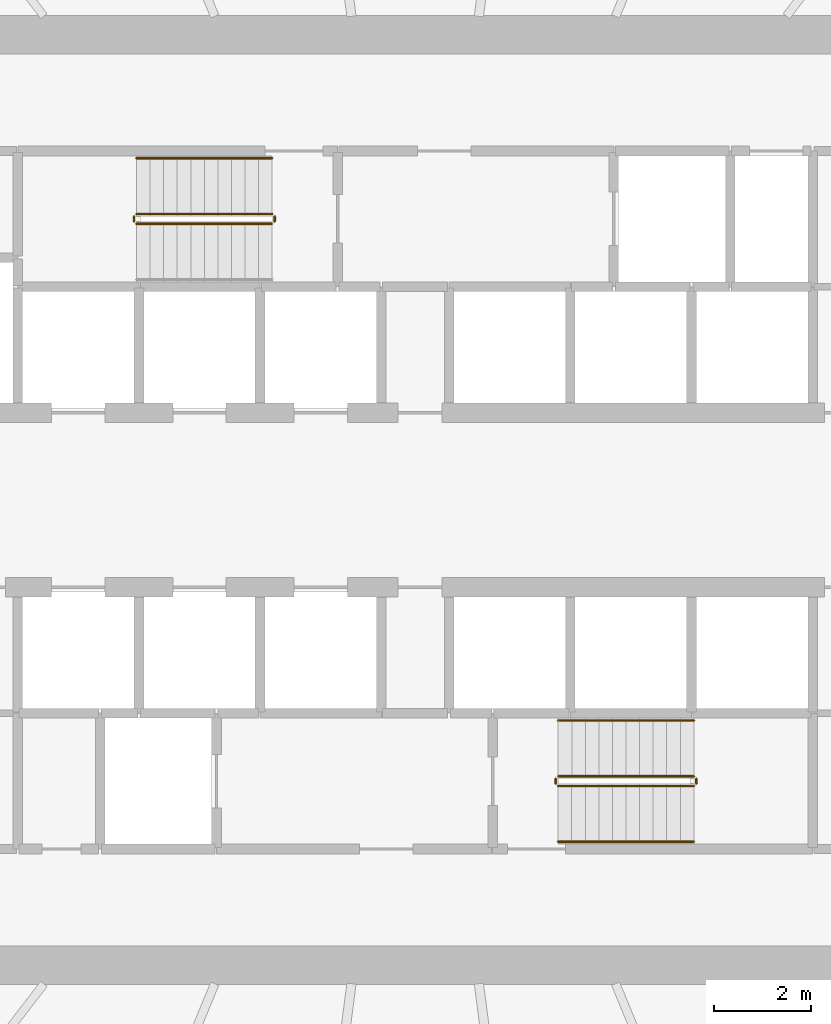
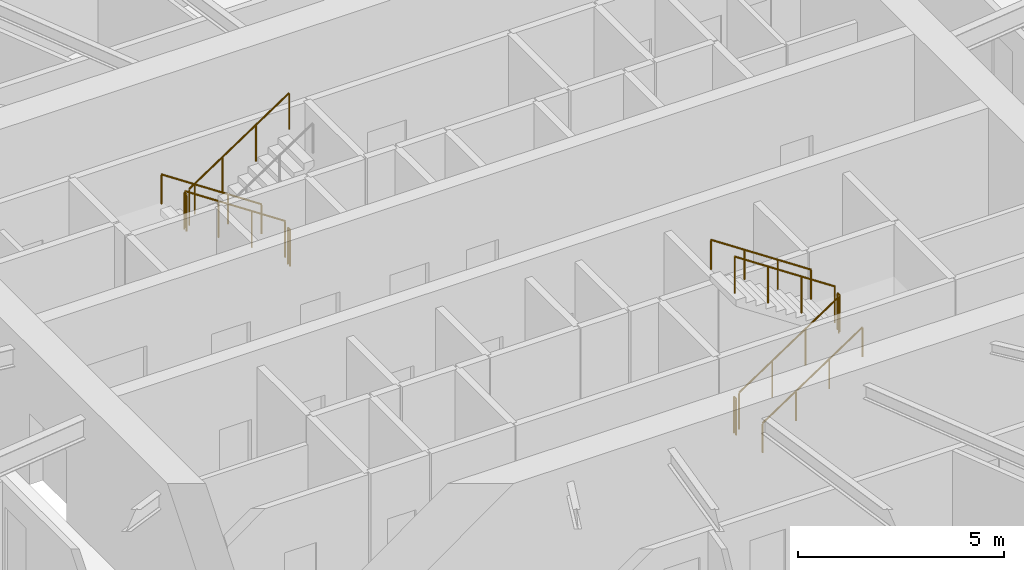
# One storey, part 16 of 17: 11 railings.
"""IFC4 building model written with IfcOpenShell, lengths in metres."""

from ifc_helpers import new_model, si_unit, direction, frame, origin, origin_2d, place, context, subcontext, project, spatial, circle, extrude, material, type_object, element, save


model = new_model("IFC4")

# Units and contexts
model_context = context("Model", 3, precision=1e-05, world=origin(), true_north=direction((0.0, 1.0)))
body_context = subcontext(model_context, "Body", "Model", "MODEL_VIEW")
ifc_project = project(units=[si_unit("LENGTHUNIT", "METRE"), si_unit("AREAUNIT", "SQUARE_METRE"), si_unit("VOLUMEUNIT", "CUBIC_METRE"), si_unit("PLANEANGLEUNIT", "RADIAN"), si_unit("MASSUNIT", "GRAM", prefix="KILO")], contexts=[model_context])

# Site, building, storey
site_placement = place(None, origin())
site = spatial("IfcSite", under=ifc_project, at=site_placement, CompositionType="ELEMENT")
building_placement = place(site_placement, origin())
building = spatial("IfcBuilding", under=site, at=building_placement, Name="Spindrift Exchange Tower", CompositionType="ELEMENT")
storey_placement = place(building_placement, frame((0.0, 0.0, 124.89990234375)))
storey = spatial("IfcBuildingStorey", under=building, at=storey_placement, Name="L29", CompositionType="ELEMENT", Elevation=124.89990234375)

# Railings
ifc_material_1 = material(Name="Steel balustrade", Category="steel")
railing_type_1 = type_object("IfcRailingType", Name="RL-STAIR-GUARD", PredefinedType="GUARDRAIL", material=ifc_material_1)
railing_1_placement = place(storey_placement, frame((49.050048828125, 53.89990234375, 0.1865234375)))
element("IfcRailing", 1, at=railing_1_placement, inside=storey, type_object=railing_type_1, Name="L29 ST1 stair guard 1", PredefinedType="GUARDRAIL", context=body_context, shape_type="SweptSolid", body=[
    extrude(circle(Radius=0.02392578125, at=origin_2d()), frame((0.0, 0.0, 1.076171875), z_axis=(-0.832485552168, 0.0, 0.554046753832), x_axis=(0.0, -1.0, 0.0)), (0.0, 0.0, 1.0), 3.363525390625),
    extrude(circle(Radius=0.02099609375, at=origin_2d()), origin(), (0.0, 0.0, 1.0), 1.052001953125),
    extrude(circle(Radius=0.02099609375, at=origin_2d()), frame((-0.933349609375, 0.0, 0.62109375)), (0.0, 0.0, 1.0), 1.052001953125),
    extrude(circle(Radius=0.02099609375, at=origin_2d()), frame((-1.86669921875, 0.0, 1.242431640625)), (0.0, 0.0, 1.0), 1.052001953125),
    extrude(circle(Radius=0.02099609375, at=origin_2d()), frame((-2.800048828125, 0.0, 1.863525390625)), (0.0, 0.0, 1.0), 1.052001953125),
])
railing_2_placement = place(storey_placement, frame((46.199951171875, 53.85009765625, 2.050048828125)))
element("IfcRailing", 2, at=railing_2_placement, inside=storey, type_object=railing_type_1, Name="L29 ST1 stair guard 2", PredefinedType="GUARDRAIL", context=body_context, shape_type="SweptSolid", body=[
    extrude(circle(Radius=0.02392578125, at=origin_2d()), frame((0.0, 0.0, 1.076171875), z_axis=(0.0, -1.0, 0.0), x_axis=(1.0, 0.0, 0.0)), (0.0, 0.0, 1.0), 0.10009765625),
    extrude(circle(Radius=0.02099609375, at=origin_2d()), origin(), (0.0, 0.0, 1.0), 1.052001953125),
    extrude(circle(Radius=0.02099609375, at=origin_2d()), frame((0.0, -0.10009765625, 0.0)), (0.0, 0.0, 1.0), 1.052001953125),
])
railing_3_placement = place(storey_placement, frame((46.25, 53.699951171875, 2.236572265625)))
element("IfcRailing", 3, at=railing_3_placement, inside=storey, type_object=railing_type_1, Name="L29 ST1 stair guard 3", PredefinedType="GUARDRAIL", context=body_context, shape_type="SweptSolid", body=[
    extrude(circle(Radius=0.02392578125, at=origin_2d()), frame((0.0, 0.0, 1.076171875), z_axis=(0.832485552168, 0.0, 0.554046753832), x_axis=(0.0, 1.0, 0.0)), (0.0, 0.0, 1.0), 3.363525390625),
    extrude(circle(Radius=0.02099609375, at=origin_2d()), origin(), (0.0, 0.0, 1.0), 1.052001953125),
    extrude(circle(Radius=0.02099609375, at=origin_2d()), frame((0.933349609375, 0.0, 0.62109375)), (0.0, 0.0, 1.0), 1.052001953125),
    extrude(circle(Radius=0.02099609375, at=origin_2d()), frame((1.86669921875, 0.0, 1.242431640625)), (0.0, 0.0, 1.0), 1.052001953125),
    extrude(circle(Radius=0.02099609375, at=origin_2d()), frame((2.800048828125, 0.0, 1.863525390625)), (0.0, 0.0, 1.0), 1.052001953125),
])
railing_4_placement = place(storey_placement, frame((49.10009765625, 53.85009765625, 0.0)))
element("IfcRailing", 4, at=railing_4_placement, inside=storey, type_object=railing_type_1, Name="L29 ST1 stair guard 4", PredefinedType="GUARDRAIL", context=body_context, shape_type="SweptSolid", body=[
    extrude(circle(Radius=0.02392578125, at=origin_2d()), frame((0.0, 0.0, 1.076171875), z_axis=(0.0, -1.0, 0.0), x_axis=(1.0, 0.0, 0.0)), (0.0, 0.0, 1.0), 0.10009765625),
    extrude(circle(Radius=0.02099609375, at=origin_2d()), origin(), (0.0, 0.0, 1.0), 1.052001953125),
    extrude(circle(Radius=0.02099609375, at=origin_2d()), frame((0.0, -0.10009765625, 0.0)), (0.0, 0.0, 1.0), 1.052001953125),
])
railing_5_placement = place(storey_placement, frame((54.949951171875, 42.10009765625, 0.1865234375)))
element("IfcRailing", 5, at=railing_5_placement, inside=storey, type_object=railing_type_1, Name="L29 ST2 stair guard 1", PredefinedType="GUARDRAIL", context=body_context, shape_type="SweptSolid", body=[
    extrude(circle(Radius=0.02392578125, at=origin_2d()), frame((0.0, 0.0, 1.076171875), z_axis=(0.832485552168, 0.0, 0.554046753832), x_axis=(0.0, 1.0, 0.0)), (0.0, 0.0, 1.0), 3.363525390625),
    extrude(circle(Radius=0.02099609375, at=origin_2d()), origin(), (0.0, 0.0, 1.0), 1.052001953125),
    extrude(circle(Radius=0.02099609375, at=origin_2d()), frame((0.933349609375, 0.0, 0.62109375)), (0.0, 0.0, 1.0), 1.052001953125),
    extrude(circle(Radius=0.02099609375, at=origin_2d()), frame((1.86669921875, 0.0, 1.242431640625)), (0.0, 0.0, 1.0), 1.052001953125),
    extrude(circle(Radius=0.02099609375, at=origin_2d()), frame((2.800048828125, 0.0, 1.863525390625)), (0.0, 0.0, 1.0), 1.052001953125),
])
railing_6_placement = place(storey_placement, frame((57.800048828125, 42.14990234375, 2.050048828125)))
element("IfcRailing", 6, at=railing_6_placement, inside=storey, type_object=railing_type_1, Name="L29 ST2 stair guard 2", PredefinedType="GUARDRAIL", context=body_context, shape_type="SweptSolid", body=[
    extrude(circle(Radius=0.02392578125, at=origin_2d()), frame((0.0, 0.0, 1.076171875), z_axis=(0.0, 1.0, 0.0), x_axis=(-1.0, 0.0, 0.0)), (0.0, 0.0, 1.0), 0.10009765625),
    extrude(circle(Radius=0.02099609375, at=origin_2d()), origin(), (0.0, 0.0, 1.0), 1.052001953125),
    extrude(circle(Radius=0.02099609375, at=origin_2d()), frame((0.0, 0.10009765625, 0.0)), (0.0, 0.0, 1.0), 1.052001953125),
])
railing_7_placement = place(storey_placement, frame((57.75, 42.300048828125, 2.236572265625)))
element("IfcRailing", 7, at=railing_7_placement, inside=storey, type_object=railing_type_1, Name="L29 ST2 stair guard 3", PredefinedType="GUARDRAIL", context=body_context, shape_type="SweptSolid", body=[
    extrude(circle(Radius=0.02392578125, at=origin_2d()), frame((0.0, 0.0, 1.076171875), z_axis=(-0.832485552168, 0.0, 0.554046753832), x_axis=(0.0, -1.0, 0.0)), (0.0, 0.0, 1.0), 3.363525390625),
    extrude(circle(Radius=0.02099609375, at=origin_2d()), origin(), (0.0, 0.0, 1.0), 1.052001953125),
    extrude(circle(Radius=0.02099609375, at=origin_2d()), frame((-0.933349609375, 0.0, 0.62109375)), (0.0, 0.0, 1.0), 1.052001953125),
    extrude(circle(Radius=0.02099609375, at=origin_2d()), frame((-1.86669921875, 0.0, 1.242431640625)), (0.0, 0.0, 1.0), 1.052001953125),
    extrude(circle(Radius=0.02099609375, at=origin_2d()), frame((-2.800048828125, 0.0, 1.863525390625)), (0.0, 0.0, 1.0), 1.052001953125),
])
railing_8_placement = place(storey_placement, frame((54.89990234375, 42.14990234375, 0.0)))
element("IfcRailing", 8, at=railing_8_placement, inside=storey, type_object=railing_type_1, Name="L29 ST2 stair guard 4", PredefinedType="GUARDRAIL", context=body_context, shape_type="SweptSolid", body=[
    extrude(circle(Radius=0.02392578125, at=origin_2d()), frame((0.0, 0.0, 1.076171875), z_axis=(0.0, 1.0, 0.0), x_axis=(-1.0, 0.0, 0.0)), (0.0, 0.0, 1.0), 0.10009765625),
    extrude(circle(Radius=0.02099609375, at=origin_2d()), origin(), (0.0, 0.0, 1.0), 1.052001953125),
    extrude(circle(Radius=0.02099609375, at=origin_2d()), frame((0.0, 0.10009765625, 0.0)), (0.0, 0.0, 1.0), 1.052001953125),
])
ifc_material_2 = material(Name="Steel tubular handrail", Category="steel")
railing_type_2 = type_object("IfcRailingType", Name="RL-STAIR-HAND", PredefinedType="HANDRAIL", material=ifc_material_2)
railing_9_placement = place(storey_placement, frame((49.050048828125, 55.050048828125, 0.1865234375)))
element("IfcRailing", 9, at=railing_9_placement, inside=storey, type_object=railing_type_2, Name="L29 ST1 stair handrail 1", PredefinedType="HANDRAIL", context=body_context, shape_type="SweptSolid", body=[
    extrude(circle(Radius=0.02392578125, at=origin_2d()), frame((0.0, 0.0, 0.8759765625), z_axis=(-0.832485552168, 0.0, 0.554046753832), x_axis=(0.0, -1.0, 0.0)), (0.0, 0.0, 1.0), 3.363525390625),
    extrude(circle(Radius=0.02099609375, at=origin_2d()), origin(), (0.0, 0.0, 1.0), 0.851806640625),
    extrude(circle(Radius=0.02099609375, at=origin_2d()), frame((-0.933349609375, 0.0, 0.62109375)), (0.0, 0.0, 1.0), 0.851806640625),
    extrude(circle(Radius=0.02099609375, at=origin_2d()), frame((-1.86669921875, 0.0, 1.242431640625)), (0.0, 0.0, 1.0), 0.851806640625),
    extrude(circle(Radius=0.02099609375, at=origin_2d()), frame((-2.800048828125, 0.0, 1.863525390625)), (0.0, 0.0, 1.0), 0.851806640625),
])
railing_10_placement = place(storey_placement, frame((54.949951171875, 40.949951171875, 0.1865234375)))
element("IfcRailing", 10, at=railing_10_placement, inside=storey, type_object=railing_type_2, Name="L29 ST2 stair handrail 1", PredefinedType="HANDRAIL", context=body_context, shape_type="SweptSolid", body=[
    extrude(circle(Radius=0.02392578125, at=origin_2d()), frame((0.0, 0.0, 0.8759765625), z_axis=(0.832485552168, 0.0, 0.554046753832), x_axis=(0.0, 1.0, 0.0)), (0.0, 0.0, 1.0), 3.363525390625),
    extrude(circle(Radius=0.02099609375, at=origin_2d()), origin(), (0.0, 0.0, 1.0), 0.851806640625),
    extrude(circle(Radius=0.02099609375, at=origin_2d()), frame((0.933349609375, 0.0, 0.62109375)), (0.0, 0.0, 1.0), 0.851806640625),
    extrude(circle(Radius=0.02099609375, at=origin_2d()), frame((1.86669921875, 0.0, 1.242431640625)), (0.0, 0.0, 1.0), 0.851806640625),
    extrude(circle(Radius=0.02099609375, at=origin_2d()), frame((2.800048828125, 0.0, 1.863525390625)), (0.0, 0.0, 1.0), 0.851806640625),
])
railing_11_placement = place(storey_placement, frame((57.75, 43.449951171875, 2.236572265625)))
element("IfcRailing", 11, at=railing_11_placement, inside=storey, type_object=railing_type_2, Name="L29 ST2 stair handrail 2", PredefinedType="HANDRAIL", context=body_context, shape_type="SweptSolid", body=[
    extrude(circle(Radius=0.02392578125, at=origin_2d()), frame((0.0, 0.0, 0.8759765625), z_axis=(-0.832485552168, 0.0, 0.554046753832), x_axis=(0.0, -1.0, 0.0)), (0.0, 0.0, 1.0), 3.363525390625),
    extrude(circle(Radius=0.02099609375, at=origin_2d()), origin(), (0.0, 0.0, 1.0), 0.851806640625),
    extrude(circle(Radius=0.02099609375, at=origin_2d()), frame((-0.933349609375, 0.0, 0.62109375)), (0.0, 0.0, 1.0), 0.851806640625),
    extrude(circle(Radius=0.02099609375, at=origin_2d()), frame((-1.86669921875, 0.0, 1.242431640625)), (0.0, 0.0, 1.0), 0.851806640625),
    extrude(circle(Radius=0.02099609375, at=origin_2d()), frame((-2.800048828125, 0.0, 1.863525390625)), (0.0, 0.0, 1.0), 0.851806640625),
])

save(model, "model.ifc")
